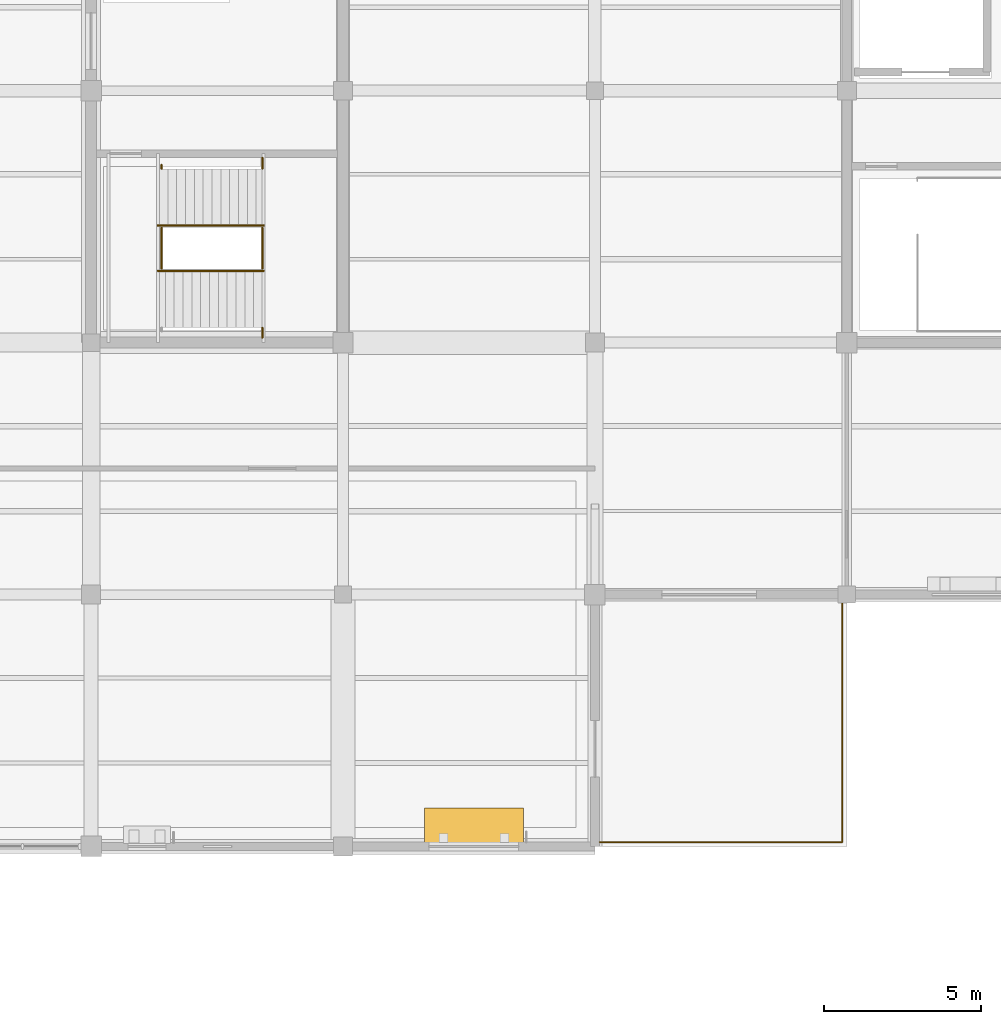
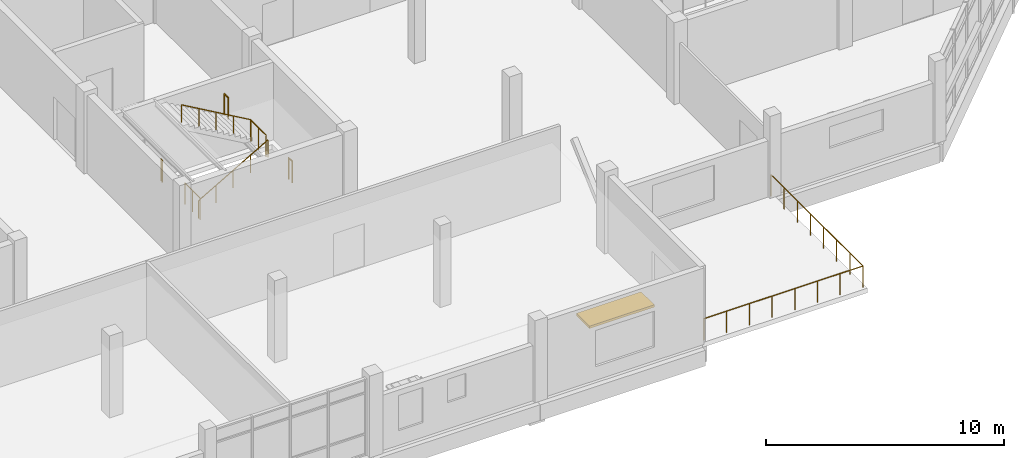
# One storey, part 71 of 72: 8 railings, 1 shading device, 1 element without a shape of its own.
"""IFC4 building model written with IfcOpenShell, lengths in metres."""

from ifc_helpers import new_model, si_unit, direction, frame, origin, origin_2d, place, context, subcontext, project, spatial, rectangle, circle, extrude, material, layer, layer_set, type_object, element, aggregate, save


model = new_model("IFC4")

# Units and contexts
model_context = context("Model", 3, precision=1e-05, world=origin(), true_north=direction((0.0, 1.0)))
body_context = subcontext(model_context, "Body", "Model", "MODEL_VIEW")
ifc_project = project(units=[si_unit("LENGTHUNIT", "METRE"), si_unit("AREAUNIT", "SQUARE_METRE"), si_unit("VOLUMEUNIT", "CUBIC_METRE"), si_unit("PLANEANGLEUNIT", "RADIAN"), si_unit("MASSUNIT", "GRAM", prefix="KILO")], contexts=[model_context])

# Site, building, storey
site_placement = place(None, origin())
site = spatial("IfcSite", under=ifc_project, at=site_placement, CompositionType="ELEMENT")
building_placement = place(site_placement, origin())
building = spatial("IfcBuilding", under=site, at=building_placement, Name="Tenunan Teduh Sports Hall", CompositionType="ELEMENT")
storey_placement = place(building_placement, frame((0.0, 0.0, 15.0)))
storey = spatial("IfcBuildingStorey", under=building, at=storey_placement, Name="L03", CompositionType="ELEMENT", Elevation=15.0)

# Railings
ifc_material_1 = material(Name="Galvanised and powder-coated steel", Category="steel")
ifc_layer_1 = layer(ifc_material_1, 0.070068359375)
ifc_layer_set_1 = layer_set([ifc_layer_1], Name="Galvanised and powder-coated steel")
railing_type_1 = type_object("IfcRailingType", Name="RLG-EXT-GRD", PredefinedType="GUARDRAIL", material=ifc_layer_set_1)
railing_1_placement = place(storey_placement, frame((46.14990234375, 78.139892578125, 0.0)))
element("IfcRailing", 1, at=railing_1_placement, inside=storey, type_object=railing_type_1, Name="RLG-L03-TERR", PredefinedType="GUARDRAIL", context=body_context, shape_type="SweptSolid", body=[
    extrude(circle(Radius=0.02392578125, at=origin_2d()), frame((0.0, 0.0, 1.09619140625), z_axis=(1.0, 0.0, 0.0), x_axis=(0.0, 1.0, 0.0)), (0.0, 0.0, 1.0), 7.710205078125),
    extrude(circle(Radius=0.02392578125, at=origin_2d()), frame((7.710205078125, 0.0, 1.09619140625), z_axis=(0.0, 1.0, 0.0), x_axis=(-1.0, 0.0, 0.0)), (0.0, 0.0, 1.0), 7.710205078125),
    extrude(circle(Radius=0.02099609375, at=origin_2d()), origin(), (0.0, 0.0, 1.0), 1.072021484375),
    extrude(circle(Radius=0.02099609375, at=origin_2d()), frame((1.1015625, 0.0, 0.0)), (0.0, 0.0, 1.0), 1.072021484375),
    extrude(circle(Radius=0.02099609375, at=origin_2d()), frame((2.202880859375, 0.0, 0.0)), (0.0, 0.0, 1.0), 1.072021484375),
    extrude(circle(Radius=0.02099609375, at=origin_2d()), frame((3.304443359375, 0.0, 0.0)), (0.0, 0.0, 1.0), 1.072021484375),
    extrude(circle(Radius=0.02099609375, at=origin_2d()), frame((4.40576171875, 0.0, 0.0)), (0.0, 0.0, 1.0), 1.072021484375),
    extrude(circle(Radius=0.02099609375, at=origin_2d()), frame((5.50732421875, 0.0, 0.0)), (0.0, 0.0, 1.0), 1.072021484375),
    extrude(circle(Radius=0.02099609375, at=origin_2d()), frame((6.608642578125, 0.0, 0.0)), (0.0, 0.0, 1.0), 1.072021484375),
    extrude(circle(Radius=0.02099609375, at=origin_2d()), frame((7.710205078125, 0.0, 0.0)), (0.0, 0.0, 1.0), 1.072021484375),
    extrude(circle(Radius=0.02099609375, at=origin_2d()), frame((7.710205078125, 1.1015625, 0.0)), (0.0, 0.0, 1.0), 1.072021484375),
    extrude(circle(Radius=0.02099609375, at=origin_2d()), frame((7.710205078125, 2.202880859375, 0.0)), (0.0, 0.0, 1.0), 1.072021484375),
    extrude(circle(Radius=0.02099609375, at=origin_2d()), frame((7.710205078125, 3.304443359375, 0.0)), (0.0, 0.0, 1.0), 1.072021484375),
    extrude(circle(Radius=0.02099609375, at=origin_2d()), frame((7.710205078125, 4.40576171875, 0.0)), (0.0, 0.0, 1.0), 1.072021484375),
    extrude(circle(Radius=0.02099609375, at=origin_2d()), frame((7.710205078125, 5.50732421875, 0.0)), (0.0, 0.0, 1.0), 1.072021484375),
    extrude(circle(Radius=0.02099609375, at=origin_2d()), frame((7.710205078125, 6.608642578125, 0.0)), (0.0, 0.0, 1.0), 1.072021484375),
    extrude(circle(Radius=0.02099609375, at=origin_2d()), frame((7.710205078125, 7.710205078125, 0.0)), (0.0, 0.0, 1.0), 1.072021484375),
])
railing_2_placement = place(storey_placement, frame((32.239990234375, 96.35009765625, 0.0)))
element("IfcRailing", 2, at=railing_2_placement, inside=storey, type_object=railing_type_1, Name="RLG-STW-WLND-W2-L02", PredefinedType="GUARDRAIL", context=body_context, shape_type="SweptSolid", body=[
    extrude(circle(Radius=0.02392578125, at=origin_2d()), frame((0.0, 0.0, 1.09619140625), z_axis=(0.0, 1.0, 0.0), x_axis=(-1.0, 0.0, 0.0)), (0.0, 0.0, 1.0), 1.2998046875),
    extrude(circle(Radius=0.02099609375, at=origin_2d()), origin(), (0.0, 0.0, 1.0), 1.072021484375),
    extrude(circle(Radius=0.02099609375, at=origin_2d()), frame((0.0, 0.64990234375, 0.0)), (0.0, 0.0, 1.0), 1.072021484375),
    extrude(circle(Radius=0.02099609375, at=origin_2d()), frame((0.0, 1.2998046875, 0.0)), (0.0, 0.0, 1.0), 1.072021484375),
])
railing_3_placement = place(storey_placement, frame((32.239990234375, 99.530029296875, 0.0)))
element("IfcRailing", 3, at=railing_3_placement, inside=storey, type_object=railing_type_1, Name="RLG-STW-WLNDN-W2-L02", PredefinedType="GUARDRAIL", context=body_context, shape_type="SweptSolid", body=[
    extrude(circle(Radius=0.02392578125, at=origin_2d()), frame((0.0, 0.0, 1.09619140625), z_axis=(0.0, 1.0, 0.0), x_axis=(-1.0, 0.0, 0.0)), (0.0, 0.0, 1.0), 0.10986328125),
    extrude(circle(Radius=0.02099609375, at=origin_2d()), origin(), (0.0, 0.0, 1.0), 1.072021484375),
    extrude(circle(Radius=0.02099609375, at=origin_2d()), frame((0.0, 0.10986328125, 0.0)), (0.0, 0.0, 1.0), 1.072021484375),
])
railing_4_placement = place(storey_placement, frame((35.43994140625, 96.35009765625, 2.10009765625)))
element("IfcRailing", 4, at=railing_4_placement, inside=storey, type_object=railing_type_1, Name="RLG-STW-MID-W2-L03", PredefinedType="GUARDRAIL", context=body_context, shape_type="SweptSolid", body=[
    extrude(circle(Radius=0.02392578125, at=origin_2d()), frame((0.0, 0.0, 1.09619140625), z_axis=(0.0, 1.0, 0.0), x_axis=(-1.0, 0.0, 0.0)), (0.0, 0.0, 1.0), 1.2998046875),
    extrude(circle(Radius=0.02099609375, at=origin_2d()), origin(), (0.0, 0.0, 1.0), 1.072021484375),
    extrude(circle(Radius=0.02099609375, at=origin_2d()), frame((0.0, 0.64990234375, 0.0)), (0.0, 0.0, 1.0), 1.072021484375),
    extrude(circle(Radius=0.02099609375, at=origin_2d()), frame((0.0, 1.2998046875, 0.0)), (0.0, 0.0, 1.0), 1.072021484375),
])
railing_5_placement = place(storey_placement, frame((35.43994140625, 94.159912109375, 2.10009765625)))
element("IfcRailing", 5, at=railing_5_placement, inside=storey, type_object=railing_type_1, Name="RLG-STW-MIDS-W2-L03", PredefinedType="GUARDRAIL", context=body_context, shape_type="SweptSolid", body=[
    extrude(circle(Radius=0.02392578125, at=origin_2d()), frame((0.0, 0.0, 1.09619140625), z_axis=(0.0, 1.0, 0.0), x_axis=(-1.0, 0.0, 0.0)), (0.0, 0.0, 1.0), 0.31005859375),
    extrude(circle(Radius=0.02099609375, at=origin_2d()), origin(), (0.0, 0.0, 1.0), 1.072021484375),
    extrude(circle(Radius=0.02099609375, at=origin_2d()), frame((0.0, 0.31005859375, 0.0)), (0.0, 0.0, 1.0), 1.072021484375),
])
railing_6_placement = place(storey_placement, frame((35.43994140625, 99.530029296875, 2.10009765625)))
element("IfcRailing", 6, at=railing_6_placement, inside=storey, type_object=railing_type_1, Name="RLG-STW-MIDN-W2-L03", PredefinedType="GUARDRAIL", context=body_context, shape_type="SweptSolid", body=[
    extrude(circle(Radius=0.02392578125, at=origin_2d()), frame((0.0, 0.0, 1.09619140625), z_axis=(0.0, 1.0, 0.0), x_axis=(-1.0, 0.0, 0.0)), (0.0, 0.0, 1.0), 0.340087890625),
    extrude(circle(Radius=0.02099609375, at=origin_2d()), origin(), (0.0, 0.0, 1.0), 1.072021484375),
    extrude(circle(Radius=0.02099609375, at=origin_2d()), frame((0.0, 0.340087890625, 0.0)), (0.0, 0.0, 1.0), 1.072021484375),
])

# Stair, railings
ifc_material_2 = material(Name="Precast concrete C40/50", Category="concrete")
stair_type = type_object("IfcStairType", Name="STR-CORE-54", PredefinedType="HALF_TURN_STAIR", material=ifc_material_2)
stair_placement = place(storey_placement, origin())
stair = element("IfcStair", 7, at=stair_placement, inside=storey, type_object=stair_type, Name="STR-W2-L03", PredefinedType="HALF_TURN_STAIR")
ifc_material_3 = material(Name="Brushed stainless steel", Category="steel")
ifc_layer_2 = layer(ifc_material_3, 0.050048828125)
ifc_layer_set_2 = layer_set([ifc_layer_2], Name="Brushed stainless steel")
railing_type_2 = type_object("IfcRailingType", Name="RLG-STAIR-HR", PredefinedType="HANDRAIL", material=ifc_layer_set_2)
railing_7_placement = place(storey_placement, frame((32.1201171875, 96.280029296875, 0.16162109375)))
railing_7 = element("IfcRailing", 8, at=railing_7_placement, type_object=railing_type_2, Name="STR-W2-L03-HR1", PredefinedType="HANDRAIL", context=body_context, shape_type="SweptSolid", body=[
    extrude(circle(Radius=0.02392578125, at=origin_2d()), frame((0.0, 0.0, 0.89599609375), z_axis=(0.866175107563, 0.0, 0.499740615757), x_axis=(0.0, 1.0, 0.0)), (0.0, 0.0, 1.0), 3.87890625),
    extrude(circle(Radius=0.02099609375, at=origin_2d()), origin(), (0.0, 0.0, 1.0), 0.871826171875),
    extrude(circle(Radius=0.02099609375, at=origin_2d()), frame((0.83984375, 0.0, 0.484619140625)), (0.0, 0.0, 1.0), 0.871826171875),
    extrude(circle(Radius=0.02099609375, at=origin_2d()), frame((1.679931640625, 0.0, 0.96923828125)), (0.0, 0.0, 1.0), 0.871826171875),
    extrude(circle(Radius=0.02099609375, at=origin_2d()), frame((2.52001953125, 0.0, 1.453857421875)), (0.0, 0.0, 1.0), 0.871826171875),
    extrude(circle(Radius=0.02099609375, at=origin_2d()), frame((3.35986328125, 0.0, 1.9384765625)), (0.0, 0.0, 1.0), 0.871826171875),
])
railing_8_placement = place(storey_placement, frame((35.47998046875, 97.719970703125, 2.261474609375)))
railing_8 = element("IfcRailing", 9, at=railing_8_placement, type_object=railing_type_2, Name="STR-W2-L03-HR2", PredefinedType="HANDRAIL", context=body_context, shape_type="SweptSolid", body=[
    extrude(circle(Radius=0.02392578125, at=origin_2d()), frame((0.0, 0.0, 0.89599609375), z_axis=(-0.866175107563, 0.0, 0.499740615757), x_axis=(0.0, -1.0, 0.0)), (0.0, 0.0, 1.0), 3.87890625),
    extrude(circle(Radius=0.02099609375, at=origin_2d()), origin(), (0.0, 0.0, 1.0), 0.871826171875),
    extrude(circle(Radius=0.02099609375, at=origin_2d()), frame((-0.83984375, 0.0, 0.484619140625)), (0.0, 0.0, 1.0), 0.871826171875),
    extrude(circle(Radius=0.02099609375, at=origin_2d()), frame((-1.679931640625, 0.0, 0.96923828125)), (0.0, 0.0, 1.0), 0.871826171875),
    extrude(circle(Radius=0.02099609375, at=origin_2d()), frame((-2.52001953125, 0.0, 1.453857421875)), (0.0, 0.0, 1.0), 0.871826171875),
    extrude(circle(Radius=0.02099609375, at=origin_2d()), frame((-3.35986328125, 0.0, 1.9384765625)), (0.0, 0.0, 1.0), 0.871826171875),
])
aggregate(stair, [railing_7, railing_8])

# Shading device
ifc_material_4 = material(Name="Perforated anodised aluminium", Category="aluminium")
shading_device_type = type_object("IfcShadingDeviceType", Name="SHD-SUNSHADE-1", PredefinedType="JALOUSIE", material=ifc_material_4)
shading_device_placement = place(storey_placement, frame((42.155029296875, 78.6650390625, 2.550048828125), z_axis=(0.0, 0.0, 1.0), x_axis=(1.0, 0.0, 0.0)))
element("IfcShadingDevice", 10, at=shading_device_placement, inside=storey, type_object=shading_device_type, Name="SHD-L03-056", PredefinedType="JALOUSIE", context=body_context, shape_type="SweptSolid", body=[
    extrude(rectangle(XDim=3.14990234375, YDim=1.10009765625, at=origin_2d()), origin(), (0.0, 0.0, 1.0), 0.1201171875),
])

save(model, "model.ifc")
